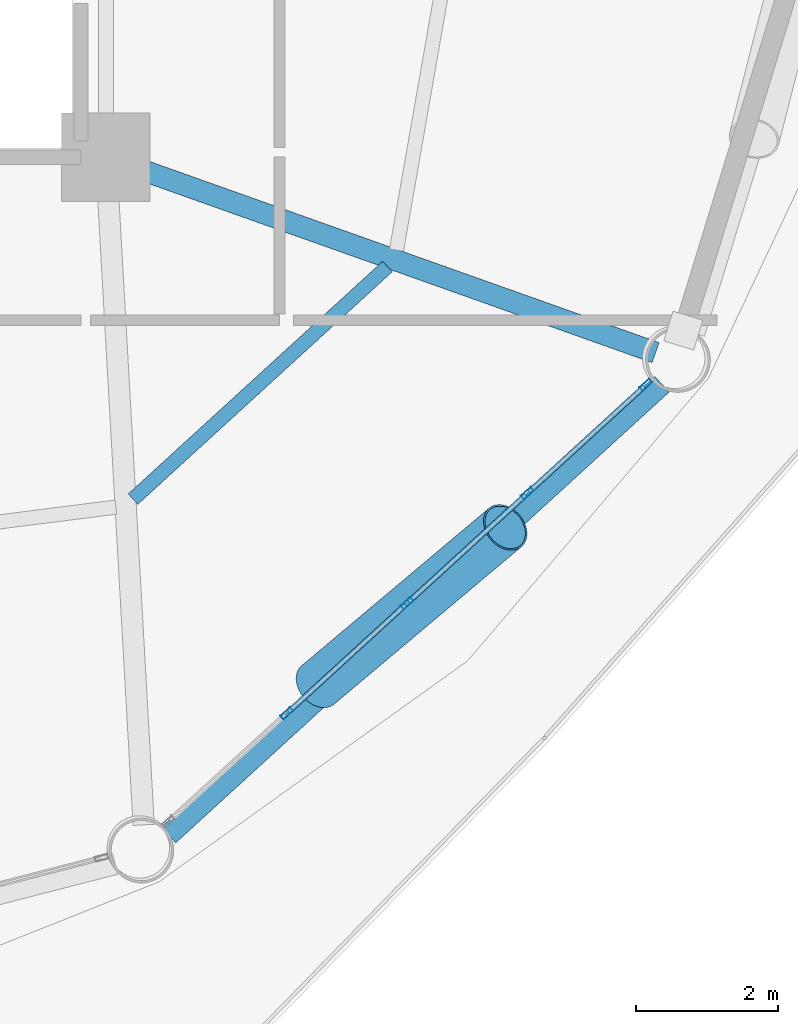
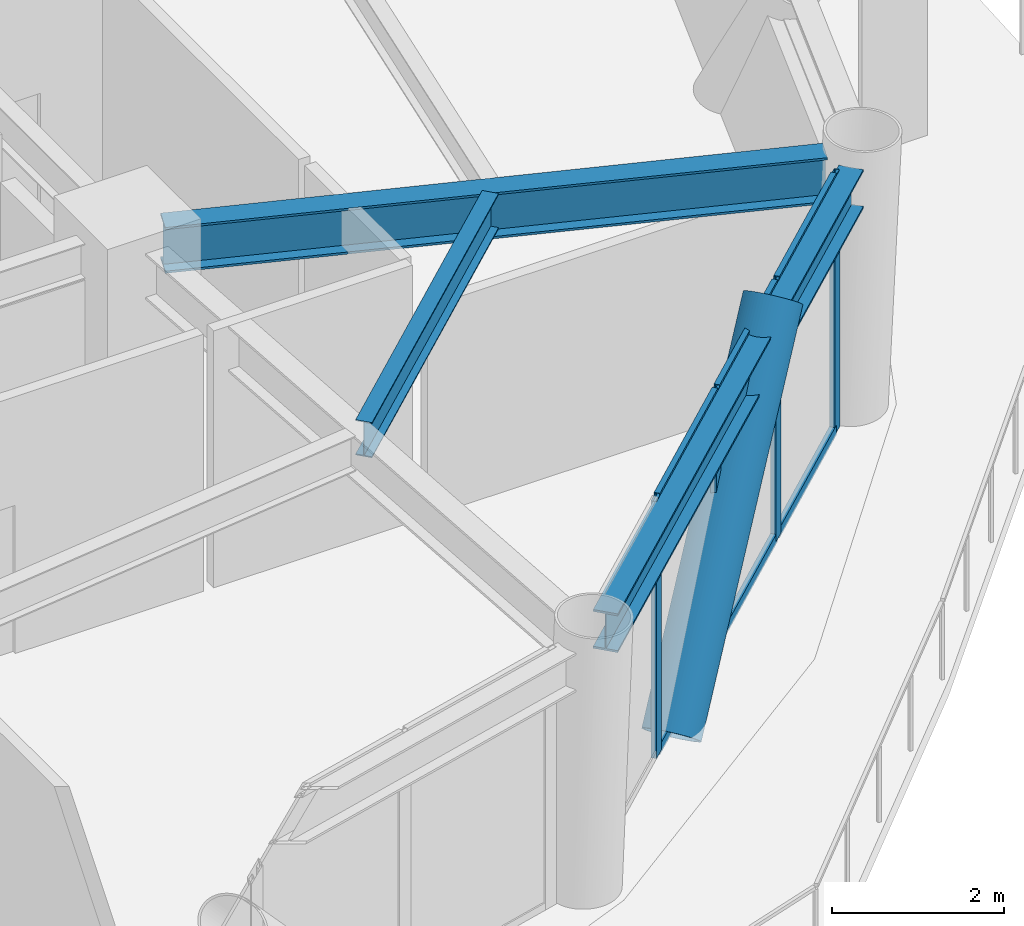
# One storey, part 13 of 24: 11 members, 3 beams, 1 element without a shape of its own.
"""IFC4 building model written with IfcOpenShell, lengths in metres."""

from ifc_helpers import new_model, si_unit, direction, frame, origin, origin_2d, place, context, subcontext, project, spatial, hollow_rectangle, hollow_circle, i_section, extrude, material, layer, layer_set, material_profile, profile_set, type_object, element, aggregate, save


model = new_model("IFC4")

# Units and contexts
model_context = context("Model", 3, precision=1e-05, world=origin(), true_north=direction((0.0, 1.0)))
body_context = subcontext(model_context, "Body", "Model", "MODEL_VIEW")
ifc_project = project(units=[si_unit("LENGTHUNIT", "METRE"), si_unit("AREAUNIT", "SQUARE_METRE"), si_unit("VOLUMEUNIT", "CUBIC_METRE"), si_unit("PLANEANGLEUNIT", "RADIAN"), si_unit("MASSUNIT", "GRAM", prefix="KILO")], contexts=[model_context])

# Site, building, storey
site_placement = place(None, origin())
site = spatial("IfcSite", under=ifc_project, at=site_placement, CompositionType="ELEMENT")
building_placement = place(site_placement, origin())
building = spatial("IfcBuilding", under=site, at=building_placement, Name="Varnakorn Sky Granary", CompositionType="ELEMENT")
storey_placement = place(building_placement, frame((0.0, 0.0, 43.199951171875)))
storey = spatial("IfcBuildingStorey", under=building, at=storey_placement, Name="L10", CompositionType="ELEMENT", Elevation=43.199951171875)

# Beams
ifc_material_1 = material(Name="Steel S355JR", Category="steel")
ifc_material_profile_1 = material_profile(ifc_material_1, i_section(OverallWidth=0.300048828125, OverallDepth=0.64990234375, WebThickness=0.01611328125, FlangeThickness=0.031005859375, at=origin_2d()), Name="HE 650 B")
ifc_profile_set_1 = profile_set([ifc_material_profile_1], Name="Steel S355JR")
beam_type_1 = type_object("IfcBeamType", Name="BM-RAD-Z1", PredefinedType="BEAM", material=ifc_profile_set_1)
beam_1_placement = place(storey_placement, frame((8.74560546875, -6.74072265625, 3.31494140625), z_axis=(0.942204611053, -0.335038014128, 0.0), x_axis=(0.335038014128, 0.942204611053, 0.0)))
element("IfcBeam", 1, at=beam_1_placement, inside=storey, type_object=beam_type_1, Name="Radial Floor Girder RG12 L10", PredefinedType="BEAM", context=body_context, shape_type="SweptSolid", body=[
    extrude(i_section(OverallWidth=0.300048828125, OverallDepth=0.64990234375, WebThickness=0.01611328125, FlangeThickness=0.031005859375, at=origin_2d()), origin(), (0.0, 0.0, 1.0), 7.81591796875),
])
ifc_material_profile_2 = material_profile(ifc_material_1, i_section(OverallWidth=0.199951171875, OverallDepth=0.5, WebThickness=0.01025390625, FlangeThickness=0.01611328125, at=origin_2d()), Name="IPE 500")
ifc_profile_set_2 = profile_set([ifc_material_profile_2], Name="Steel S355JR")
beam_type_2 = type_object("IfcBeamType", Name="BM-SEC-Z1", PredefinedType="BEAM", material=ifc_profile_set_2)
beam_2_placement = place(storey_placement, frame((8.7314453125, -11.42822265625, 3.39013671875), z_axis=(0.738167247989, 0.674617753989, 0.0), x_axis=(-0.674617753989, 0.738167247989, 0.0)))
element("IfcBeam", 2, at=beam_2_placement, inside=storey, type_object=beam_type_2, Name="Secondary Floor Chord Beam MSB11 L10", PredefinedType="BEAM", context=body_context, shape_type="SweptSolid", body=[
    extrude(i_section(OverallWidth=0.199951171875, OverallDepth=0.5, WebThickness=0.01025390625, FlangeThickness=0.01611328125, at=origin_2d()), origin(), (0.0, 0.0, 1.0), 4.867431640625),
])
ifc_material_profile_3 = material_profile(ifc_material_1, i_section(OverallWidth=0.300048828125, OverallDepth=0.550048828125, WebThickness=0.014892578125, FlangeThickness=0.029052734375, at=origin_2d()), Name="HE 550 B")
ifc_profile_set_3 = profile_set([ifc_material_profile_3], Name="Steel S355JR")
beam_type_3 = type_object("IfcBeamType", Name="BM-SPD-Z1", PredefinedType="SPANDREL", material=ifc_profile_set_3)
beam_3_placement = place(storey_placement, frame((9.23388671875, -16.16943359375, 3.364990234375), z_axis=(0.738303405407, 0.674468740243, 0.0), x_axis=(-0.674468740243, 0.738303405407, 0.0)))
element("IfcBeam", 3, at=beam_3_placement, inside=storey, type_object=beam_type_3, Name="Perimeter Spandrel Ring Beam RB11 L10", PredefinedType="SPANDREL", context=body_context, shape_type="SweptSolid", body=[
    extrude(i_section(OverallWidth=0.300048828125, OverallDepth=0.550048828125, WebThickness=0.014892578125, FlangeThickness=0.029052734375, at=origin_2d()), origin(), (0.0, 0.0, 1.0), 9.435302734375),
])

# Curtain wall, members
ifc_material_2 = material(Name="Anodised Bronze Aluminium Alloy 6063-T6", Category="aluminium")
ifc_layer = layer(ifc_material_2, 0.18994140625, Name="Anodised Bronze Aluminium Alloy 6063-T6")
ifc_layer_set = layer_set([ifc_layer], Name="Anodised Bronze Aluminium Alloy 6063-T6")
curtain_wall_type = type_object("IfcCurtainWallType", Name="CW-FRM-1", PredefinedType="USERDEFINED", material=ifc_layer_set)
curtain_wall_placement = place(storey_placement, origin())
curtain_wall = element("IfcCurtainWall", 4, at=curtain_wall_placement, inside=storey, type_object=curtain_wall_type, Name="Unitised Curtain Wall CW3 CW-L10-B11", ObjectType="CURTAIN WALL", PredefinedType="USERDEFINED")
ifc_material_profile_4 = material_profile(ifc_material_2, hollow_rectangle(XDim=0.070068359375, YDim=0.18505859375, WallThickness=0.00390625, at=origin_2d()), Name="ALU MULL 70x185")
ifc_profile_set_4 = profile_set([ifc_material_profile_4], Name="Anodised Bronze Aluminium Alloy 6063-T6")
member_type_1 = type_object("IfcMemberType", Name="CW-FRM-1-MULL", PredefinedType="MULLION", material=ifc_profile_set_4)
member_1_placement = place(storey_placement, frame((15.973388671875, -9.814453125, 0.0), z_axis=(0.0, 0.0, 1.0), x_axis=(0.674903389306, -0.737906101821, 0.0)))
member_1 = element("IfcMember", 5, at=member_1_placement, type_object=member_type_1, Name="CW3 mullion 1", PredefinedType="MULLION", context=body_context, shape_type="SweptSolid", body=[
    extrude(hollow_rectangle(XDim=0.070068359375, YDim=0.18505859375, WallThickness=0.00390625, at=origin_2d()), origin(), (0.0, 0.0, 1.0), 3.64013671875),
])
member_2_placement = place(storey_placement, frame((14.30078125, -11.344482421875, 0.0), z_axis=(0.0, 0.0, 1.0), x_axis=(0.674903389306, -0.737906101821, 0.0)))
member_2 = element("IfcMember", 6, at=member_2_placement, type_object=member_type_1, Name="CW3 mullion 2", PredefinedType="MULLION", context=body_context, shape_type="SweptSolid", body=[
    extrude(hollow_rectangle(XDim=0.070068359375, YDim=0.18505859375, WallThickness=0.00390625, at=origin_2d()), origin(), (0.0, 0.0, 1.0), 3.64013671875),
])
member_3_placement = place(storey_placement, frame((12.60205078125, -12.89794921875, 0.0), z_axis=(0.0, 0.0, 1.0), x_axis=(0.674903389306, -0.737906101821, 0.0)))
member_3 = element("IfcMember", 7, at=member_3_placement, type_object=member_type_1, Name="CW3 mullion 3", PredefinedType="MULLION", context=body_context, shape_type="SweptSolid", body=[
    extrude(hollow_rectangle(XDim=0.070068359375, YDim=0.18505859375, WallThickness=0.00390625, at=origin_2d()), origin(), (0.0, 0.0, 1.0), 3.64013671875),
])
member_4_placement = place(storey_placement, frame((10.903564453125, -14.45166015625, 0.0), z_axis=(0.0, 0.0, 1.0), x_axis=(0.674903389306, -0.737906101821, 0.0)))
member_4 = element("IfcMember", 8, at=member_4_placement, type_object=member_type_1, Name="CW3 mullion 4", PredefinedType="MULLION", context=body_context, shape_type="SweptSolid", body=[
    extrude(hollow_rectangle(XDim=0.070068359375, YDim=0.18505859375, WallThickness=0.00390625, at=origin_2d()), origin(), (0.0, 0.0, 1.0), 3.64013671875),
])
ifc_material_profile_5 = material_profile(ifc_material_2, hollow_rectangle(XDim=0.070068359375, YDim=0.139892578125, WallThickness=0.00341796875, at=origin_2d()), Name="ALU TRAN 70x140")
ifc_profile_set_5 = profile_set([ifc_material_profile_5], Name="Anodised Bronze Aluminium Alloy 6063-T6")
member_type_2 = type_object("IfcMemberType", Name="CW-FRM-1-TRAN", PredefinedType="USERDEFINED", material=ifc_profile_set_5)
member_5_placement = place(storey_placement, frame((15.94775390625, -9.838134765625, 0.03515625), z_axis=(-0.737910208104, -0.674898899671, 0.0), x_axis=(0.674898899671, -0.737910208104, 0.0)))
member_5 = element("IfcMember", 9, at=member_5_placement, type_object=member_type_2, Name="CW3 transom 1.1", ObjectType="TRANSOM", PredefinedType="USERDEFINED", context=body_context, shape_type="SweptSolid", body=[
    extrude(hollow_rectangle(XDim=0.070068359375, YDim=0.139892578125, WallThickness=0.00341796875, at=origin_2d()), origin(), (0.0, 0.0, 1.0), 2.19677734375),
])
member_6_placement = place(storey_placement, frame((15.94775390625, -9.838134765625, 3.60498046875), z_axis=(-0.737910208104, -0.674898899671, 0.0), x_axis=(0.674898899671, -0.737910208104, 0.0)))
member_6 = element("IfcMember", 10, at=member_6_placement, type_object=member_type_2, Name="CW3 transom 1.2", ObjectType="TRANSOM", PredefinedType="USERDEFINED", context=body_context, shape_type="SweptSolid", body=[
    extrude(hollow_rectangle(XDim=0.070068359375, YDim=0.139892578125, WallThickness=0.00341796875, at=origin_2d()), origin(), (0.0, 0.0, 1.0), 2.19677734375),
])
member_7_placement = place(storey_placement, frame((14.27490234375, -11.3681640625, 0.03515625), z_axis=(-0.737961879028, -0.674842400196, 0.0), x_axis=(0.674842400196, -0.737961879028, 0.0)))
member_7 = element("IfcMember", 11, at=member_7_placement, type_object=member_type_2, Name="CW3 transom 2.1", ObjectType="TRANSOM", PredefinedType="USERDEFINED", context=body_context, shape_type="SweptSolid", body=[
    extrude(hollow_rectangle(XDim=0.070068359375, YDim=0.139892578125, WallThickness=0.00341796875, at=origin_2d()), origin(), (0.0, 0.0, 1.0), 2.231689453125),
])
member_8_placement = place(storey_placement, frame((14.27490234375, -11.3681640625, 3.60498046875), z_axis=(-0.737961879028, -0.674842400196, 0.0), x_axis=(0.674842400196, -0.737961879028, 0.0)))
member_8 = element("IfcMember", 12, at=member_8_placement, type_object=member_type_2, Name="CW3 transom 2.2", ObjectType="TRANSOM", PredefinedType="USERDEFINED", context=body_context, shape_type="SweptSolid", body=[
    extrude(hollow_rectangle(XDim=0.070068359375, YDim=0.139892578125, WallThickness=0.00341796875, at=origin_2d()), origin(), (0.0, 0.0, 1.0), 2.231689453125),
])
member_9_placement = place(storey_placement, frame((12.576416015625, -12.921630859375, 0.03515625), z_axis=(-0.737907402303, -0.674901967419, 0.0), x_axis=(0.674901967419, -0.737907402303, 0.0)))
member_9 = element("IfcMember", 13, at=member_9_placement, type_object=member_type_2, Name="CW3 transom 3.1", ObjectType="TRANSOM", PredefinedType="USERDEFINED", context=body_context, shape_type="SweptSolid", body=[
    extrude(hollow_rectangle(XDim=0.070068359375, YDim=0.139892578125, WallThickness=0.00341796875, at=origin_2d()), origin(), (0.0, 0.0, 1.0), 2.23193359375),
])
member_10_placement = place(storey_placement, frame((12.576416015625, -12.921630859375, 3.60498046875), z_axis=(-0.737907402303, -0.674901967419, 0.0), x_axis=(0.674901967419, -0.737907402303, 0.0)))
member_10 = element("IfcMember", 14, at=member_10_placement, type_object=member_type_2, Name="CW3 transom 3.2", ObjectType="TRANSOM", PredefinedType="USERDEFINED", context=body_context, shape_type="SweptSolid", body=[
    extrude(hollow_rectangle(XDim=0.070068359375, YDim=0.139892578125, WallThickness=0.00341796875, at=origin_2d()), origin(), (0.0, 0.0, 1.0), 2.23193359375),
])
aggregate(curtain_wall, [member_1, member_2, member_3, member_4, member_5, member_6, member_7, member_8, member_9, member_10])

# Member
ifc_material_3 = material(Name="Steel S460M", Category="steel")
ifc_material_profile_6 = material_profile(ifc_material_3, hollow_circle(Radius=0.35546875, WallThickness=0.02490234375, at=origin_2d()), Name="CHS 711x25")
ifc_profile_set_6 = profile_set([ifc_material_profile_6], Name="Steel S460M")
member_type_3 = type_object("IfcMemberType", Name="MB-DIAG-T0", PredefinedType="BRACE", material=ifc_profile_set_6)
member_11_placement = place(storey_placement, frame((11.342529296875, -14.050048828125, -0.1298828125), z_axis=(0.506105740274, 0.425407317833, 0.750257018358), x_axis=(-0.643439022977, 0.765497370152, 0.0)))
element("IfcMember", 15, at=member_11_placement, inside=storey, type_object=member_type_3, Name="Perimeter CHS Diagrid Brace DG11 L10", PredefinedType="BRACE", context=body_context, shape_type="SweptSolid", body=[
    extrude(hollow_circle(Radius=0.35546875, WallThickness=0.02490234375, at=origin_2d()), origin(), (0.0, 0.0, 1.0), 5.224853515625),
])

save(model, "model.ifc")
